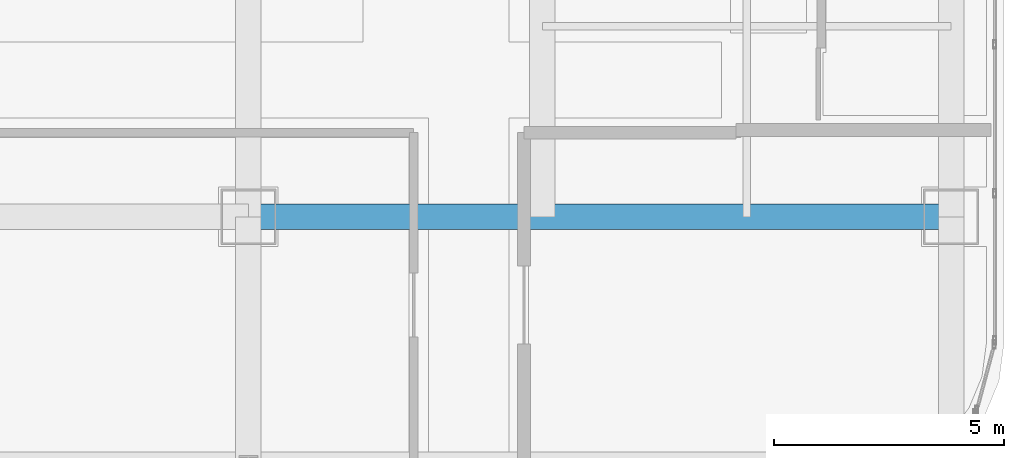
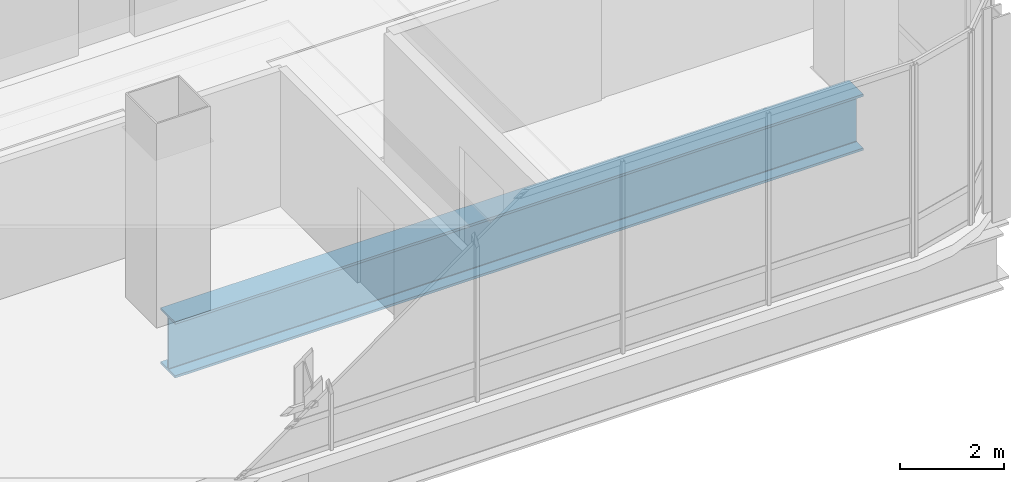
# One storey, part 17 of 45: 1 beam.
"""IFC4 building model written with IfcOpenShell, lengths in metres."""

from ifc_helpers import new_model, si_unit, direction, frame, origin, origin_2d, place, context, subcontext, project, spatial, i_section, extrude, material, material_profile, profile_set, type_object, element, save


model = new_model("IFC4")

# Units and contexts
model_context = context("Model", 3, precision=1e-05, world=origin(), true_north=direction((0.0, 1.0)))
body_context = subcontext(model_context, "Body", "Model", "MODEL_VIEW")
ifc_project = project(units=[si_unit("LENGTHUNIT", "METRE"), si_unit("AREAUNIT", "SQUARE_METRE"), si_unit("VOLUMEUNIT", "CUBIC_METRE"), si_unit("PLANEANGLEUNIT", "RADIAN"), si_unit("MASSUNIT", "GRAM", prefix="KILO")], contexts=[model_context])

# Site, building, storey
site_placement = place(None, origin())
site = spatial("IfcSite", under=ifc_project, at=site_placement, CompositionType="ELEMENT")
building_placement = place(site_placement, origin())
building = spatial("IfcBuilding", under=site, at=building_placement, Name="Punatoya Terracotta Tower", CompositionType="ELEMENT")
storey_placement = place(building_placement, frame((0.0, 0.0, 339.0)))
storey = spatial("IfcBuildingStorey", under=building, at=storey_placement, Name="L80", CompositionType="ELEMENT", Elevation=339.0)

# Beam
ifc_material = material(Name="Steel S460", Category="steel")
ifc_material_profile = material_profile(ifc_material, i_section(OverallWidth=0.56005859375, OverallDepth=1.320068359375, WebThickness=0.035888671875, FlangeThickness=0.054931640625, FilletRadius=0.01806640625, at=origin_2d()))
ifc_profile_set = profile_set([ifc_material_profile], Name="Steel S460")
beam_type = type_object("IfcBeamType", Name="BM-TG-BLK", PredefinedType="BEAM", material=ifc_profile_set)
beam_placement = place(storey_placement, frame((3.800048828125, -17.5, -0.919921875), z_axis=(1.0, 0.0, 0.0), x_axis=(0.0, 1.0, 0.0)))
element("IfcBeam", 1, at=beam_placement, inside=storey, type_object=beam_type, Name="BM-L80-RG-S3", PredefinedType="BEAM", context=body_context, shape_type="SweptSolid", body=[
    extrude(i_section(OverallWidth=0.56005859375, OverallDepth=1.320068359375, WebThickness=0.035888671875, FlangeThickness=0.054931640625, FilletRadius=0.01806640625, at=origin_2d()), origin(), (0.0, 0.0, 1.0), 15.300048828125),
])

save(model, "model.ifc")
